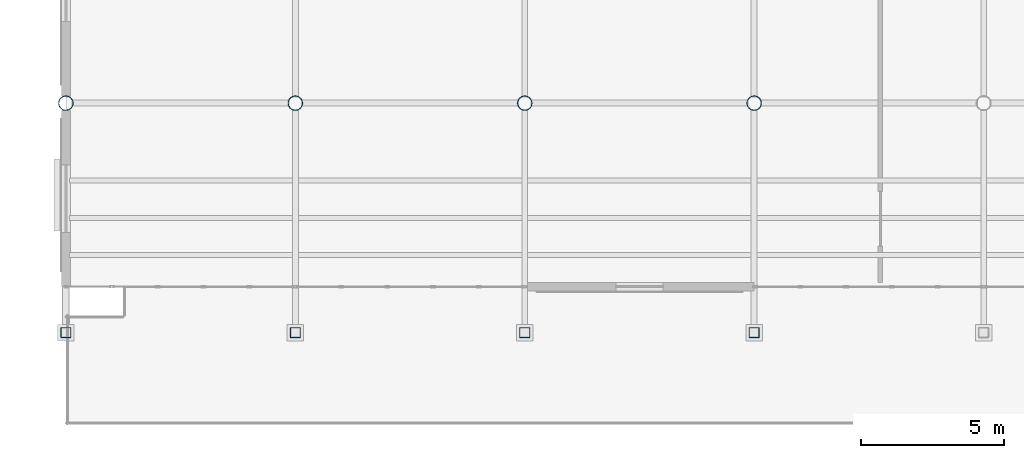
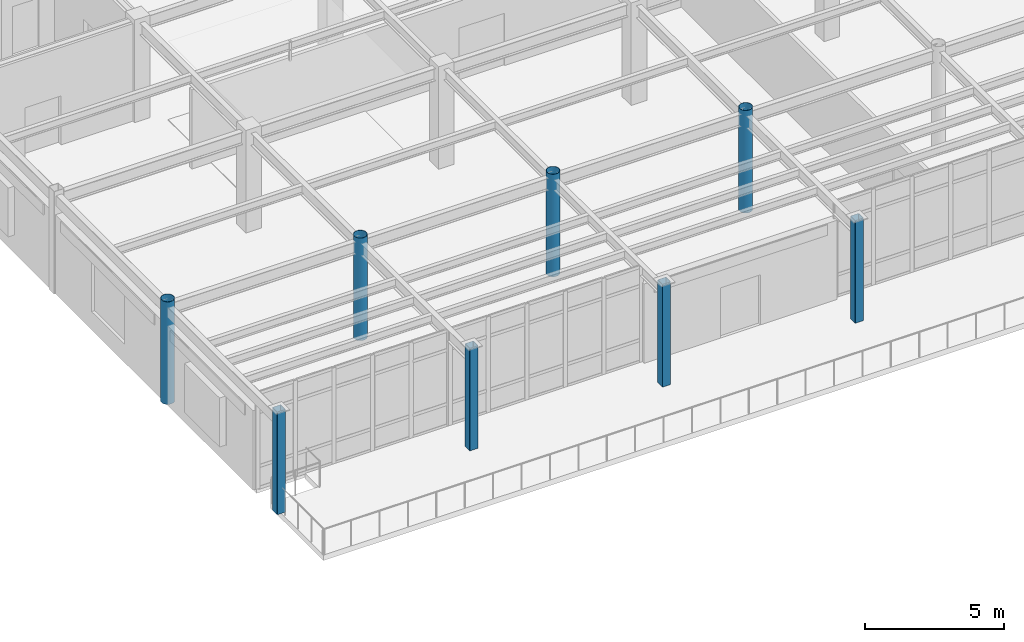
# One storey, part 8 of 111: 8 columns.
"""IFC4 building model written with IfcOpenShell, lengths in metres."""

import ifcopenshell
import ifcopenshell.guid

model = None  # the IFC model being written
_history = None  # IfcOwnerHistory: only IFC2X3 demands one
_inside = {}  # id of a spatial element -> (the spatial element, [elements in it])
_under = {}  # id of a project, library or spatial element -> (it, [spatial elements below it])
_declared = {}  # id of a project -> (the project, [libraries it declares])
_typed = {}  # id of a type object -> (the type object, [elements of that type])
_made_of = {}  # id of a material, layer set ... -> (it, [elements and type objects made of it])


def new_model(schema):
    """Start an empty IFC model of exactly this schema.

    Asked for "IFC4X3", IfcOpenShell would pick the latest addendum, in which some entities
    have other attributes; the version numbers below select the first issue.
    IFC2X3 requires an IfcOwnerHistory on every rooted entity: one is made here for all.
    """
    global model, _history
    if schema == "IFC4X3":
        model = ifcopenshell.file(schema_version=(4, 3, 0, 0))
    else:
        model = ifcopenshell.file(schema=schema)
    _inside.clear()
    _under.clear()
    _declared.clear()
    _typed.clear()
    _made_of.clear()
    _history = None
    if model.schema == "IFC2X3":
        org = make("IfcOrganization", Name="unknown")
        user = make(
            "IfcPersonAndOrganization",
            ThePerson=make("IfcPerson", FamilyName="unknown"),
            TheOrganization=org,
        )
        app = make(
            "IfcApplication",
            ApplicationDeveloper=org,
            Version="unknown",
            ApplicationFullName="unknown",
            ApplicationIdentifier="unknown",
        )
        _history = make(
            "IfcOwnerHistory",
            OwningUser=user,
            OwningApplication=app,
            ChangeAction="ADDED",
            CreationDate=0,
        )
    return model


def make(cls, **values):
    """One entity of the class cls with the attributes given. An attribute that is None is left unset."""
    return model.create_entity(
        cls, **{name: value for name, value in values.items() if value is not None}
    )


def rooted(cls, **values):
    """An entity with a GlobalId (a new one), such as an element, a storey or a relation."""
    return make(cls, GlobalId=ifcopenshell.guid.new(), OwnerHistory=_history, **values)


def si_unit(unit_type, name, prefix=None):
    """IfcSIUnit, for example si_unit("LENGTHUNIT", "METRE", prefix="MILLI")."""
    return make("IfcSIUnit", UnitType=unit_type, Prefix=prefix, Name=name)


def assignment(units):
    """IfcUnitAssignment: the units of a project."""
    return None if units is None else make("IfcUnitAssignment", Units=units)


def point(xyz):
    """IfcCartesianPoint."""
    return None if xyz is None else make("IfcCartesianPoint", Coordinates=xyz)


def direction(xyz):
    """IfcDirection."""
    return None if xyz is None else make("IfcDirection", DirectionRatios=xyz)


def frame(location, z_axis=None, x_axis=None):
    """IfcAxis2Placement3D, a coordinate frame: its origin and axes. An axis left out is left unset."""
    return make(
        "IfcAxis2Placement3D",
        Location=point(location),
        Axis=direction(z_axis),
        RefDirection=direction(x_axis),
    )


def frame_2d(location, x_axis=None):
    """IfcAxis2Placement2D, a coordinate frame in the plane: its origin and x axis."""
    return make(
        "IfcAxis2Placement2D", Location=point(location), RefDirection=direction(x_axis)
    )


def origin():
    """The frame at (0, 0, 0) with its axes left unset."""
    return frame((0.0, 0.0, 0.0))


def origin_2d():
    """The frame at (0, 0) in the plane with its x axis left unset."""
    return frame_2d((0.0, 0.0))


def place(relative_to, where):
    """IfcLocalPlacement: puts the frame where relative to a parent placement (None: the world)."""
    return make(
        "IfcLocalPlacement", PlacementRelTo=relative_to, RelativePlacement=where
    )


def context(
    kind, dimensions, precision=None, world=None, true_north=None, identifier=None
):
    """IfcGeometricRepresentationContext, for example the 3D "Model" context."""
    return make(
        "IfcGeometricRepresentationContext",
        ContextIdentifier=identifier,
        ContextType=kind,
        CoordinateSpaceDimension=dimensions,
        Precision=precision,
        WorldCoordinateSystem=world,
        TrueNorth=true_north,
    )


def subcontext(parent, identifier, kind, view, scale=None):
    """IfcGeometricRepresentationSubContext, for example "Body" below "Model"."""
    return make(
        "IfcGeometricRepresentationSubContext",
        ContextIdentifier=identifier,
        ContextType=kind,
        ParentContext=parent,
        TargetScale=scale,
        TargetView=view,
    )


def project(units=None, contexts=None):
    """IfcProject with its units and contexts."""
    return rooted(
        "IfcProject",
        Name="project",
        RepresentationContexts=contexts,
        UnitsInContext=assignment(units),
    )


def spatial(cls, under=None, at=None, **own):
    """A site, building, storey or space (cls), placed at a placement, below another one or the project."""
    s = rooted(cls, ObjectPlacement=at, **own)
    if under is not None:
        _under.setdefault(under.id(), (under, []))[1].append(s)
    return s


def profile(cls, at=None, kind="AREA", **sizes):
    """A parametric profile (cls). Its sizes go by their IFC names, for example OverallWidth=200.0."""
    return make(cls, ProfileType=kind, Position=at, **sizes)


def hollow_rectangle(**sizes):
    """IfcRectangleHollowProfileDef."""
    return profile("IfcRectangleHollowProfileDef", **sizes)


def hollow_circle(**sizes):
    """IfcCircleHollowProfileDef."""
    return profile("IfcCircleHollowProfileDef", **sizes)


def extrude(swept, where, along, depth):
    """IfcExtrudedAreaSolid: the profile swept, set in the frame where, extruded along a direction by depth."""
    return make(
        "IfcExtrudedAreaSolid",
        SweptArea=swept,
        Position=where,
        ExtrudedDirection=direction(along),
        Depth=depth,
    )


def shape(context_of_items, identifier, shape_type, items):
    """IfcShapeRepresentation: the items that make up one representation, for example the "Body"."""
    return make(
        "IfcShapeRepresentation",
        ContextOfItems=context_of_items,
        RepresentationIdentifier=identifier,
        RepresentationType=shape_type,
        Items=items,
    )


def material(Name=None, Category=None):
    """IfcMaterial."""
    return make("IfcMaterial", Name=Name, Category=Category)


def material_profile(
    of_material, cross_section, Name=None, Category=None, Priority=None
):
    """IfcMaterialProfile: a cross section and its material."""
    return make(
        "IfcMaterialProfile",
        Name=Name,
        Material=of_material,
        Profile=cross_section,
        Priority=Priority,
        Category=Category,
    )


def profile_set(profiles, Name=None, composite=None):
    """IfcMaterialProfileSet."""
    return make(
        "IfcMaterialProfileSet",
        Name=Name,
        MaterialProfiles=profiles,
        CompositeProfile=composite,
    )


def made_of(thing, what):
    """Note that an element or type object is made of a material, layer set ...; save() writes the relation."""
    if what is not None:
        _made_of.setdefault(what.id(), (what, []))[1].append(thing)
    return thing


def type_object(cls, material=None, **own):
    """A type object (cls), such as IfcWallType, which elements share."""
    return made_of(rooted(cls, **own), material)


def element(
    cls,
    number,
    at=None,
    inside=None,
    cuts=None,
    type_object=None,
    material=None,
    context=None,
    identifier="Body",
    shape_type=None,
    held_by="IfcProductDefinitionShape",
    body=None,
    shapes=None,
    **own,
):
    """One element of the class cls, such as IfcWall. Its Tag is "e" and its number.

    at: its placement. inside: the storey or other place that contains it. cuts: it is an
    opening in that element (IfcRelVoidsElement). A single representation is given by context,
    identifier, shape_type and body (its items); several are given by shapes. held_by: the class
    of the entity that holds the representations. save() writes the other relations.
    """
    e = rooted(cls, Tag="e%d" % number, ObjectPlacement=at, **own)
    if body is not None:
        shapes = [shape(context, identifier, shape_type, body)]
    if shapes is not None:
        e.Representation = make(held_by, Representations=shapes)
    if inside is not None:
        _inside.setdefault(inside.id(), (inside, []))[1].append(e)
    if cuts is not None:
        rooted(
            "IfcRelVoidsElement", RelatingBuildingElement=cuts, RelatedOpeningElement=e
        )
    if type_object is not None:
        _typed.setdefault(type_object.id(), (type_object, []))[1].append(e)
    return made_of(e, material)


def aggregate(whole, parts):
    """IfcRelAggregates: a whole, such as a stair, and the parts it consists of."""
    return rooted("IfcRelAggregates", RelatingObject=whole, RelatedObjects=parts)


def save(model, path):
    """Write the relations noted so far, then the file.

    IfcRelAggregates (storeys below a building ...), IfcRelContainedInSpatialStructure (elements
    in a storey), IfcRelDefinesByType, IfcRelAssociatesMaterial and IfcRelDeclares: one each for
    every whole, place, type object, material and project.
    """
    for whole, parts in _under.values():
        aggregate(whole, parts)
    for where, things in _inside.values():
        rooted(
            "IfcRelContainedInSpatialStructure",
            RelatedElements=things,
            RelatingStructure=where,
        )
    for kind, things in _typed.values():
        rooted("IfcRelDefinesByType", RelatedObjects=things, RelatingType=kind)
    for what, things in _made_of.values():
        rooted("IfcRelAssociatesMaterial", RelatedObjects=things, RelatingMaterial=what)
    for by, libraries in _declared.values():
        rooted("IfcRelDeclares", RelatingContext=by, RelatedDefinitions=libraries)
    model.write(path)


model = new_model("IFC4")

# Units and contexts
model_context = context("Model", 3, precision=1e-05, world=origin(), true_north=direction((0.0, 1.0)))
body_context = subcontext(model_context, "Body", "Model", "MODEL_VIEW")
ifc_project = project(units=[si_unit("LENGTHUNIT", "METRE"), si_unit("AREAUNIT", "SQUARE_METRE"), si_unit("VOLUMEUNIT", "CUBIC_METRE"), si_unit("PLANEANGLEUNIT", "RADIAN"), si_unit("MASSUNIT", "GRAM", prefix="KILO")], contexts=[model_context])

# Site, building, storey
site_placement = place(None, origin())
site = spatial("IfcSite", under=ifc_project, at=site_placement, CompositionType="ELEMENT")
building_placement = place(site_placement, origin())
building = spatial("IfcBuilding", under=site, at=building_placement, Name="Solmirada Galleria", CompositionType="ELEMENT")
storey_placement = place(building_placement, frame((0.0, 0.0, 10.39990234375)))
storey = spatial("IfcBuildingStorey", under=building, at=storey_placement, Name="L02", CompositionType="ELEMENT", Elevation=10.39990234375)

# Columns
ifc_material = material(Name="Steel S355 / ASTM A500 Grade C", Category="steel")
ifc_material_profile_1 = material_profile(ifc_material, hollow_circle(Radius=0.25390625, WallThickness=0.01171875, at=origin_2d()), Name="HSS20.000X0.500")
ifc_profile_set_1 = profile_set([ifc_material_profile_1], Name="Steel S355 / ASTM A500 Grade C")
column_type_1 = type_object("IfcColumnType", Name="COL-CHS20", PredefinedType="COLUMN", material=ifc_profile_set_1)
for number, where, z_axis, x_axis, name in (
    (1, (40.0, 88.0, 0.0), (0.0, 0.0, 1.0), (1.0, 0.0, 0.0), "Structural column L02-0048"),
    (2, (48.0, 88.0, 0.0), (0.0, 0.0, 1.0), (1.0, 0.0, 0.0), "Structural column L02-0115"),
    (3, (56.0, 88.0, 0.0), (0.0, 0.0, 1.0), (1.0, 0.0, 0.0), "Structural column L02-0182"),
    (4, (64.0, 88.0, 0.0), (0.0, 0.0, 1.0), (1.0, 0.0, 0.0), "Structural column L02-0246"),
):
    element("IfcColumn", number, at=place(storey_placement, frame(where, z_axis=z_axis, x_axis=x_axis)), inside=storey, type_object=column_type_1, Name=name, PredefinedType="COLUMN", context=body_context, shape_type="SweptSolid", body=[
        extrude(hollow_circle(Radius=0.25390625, WallThickness=0.01171875, at=origin_2d()), origin(), (0.0, 0.0, 1.0), 4.5),
    ])
ifc_material_profile_2 = material_profile(ifc_material, hollow_rectangle(XDim=0.35595703125, YDim=0.35595703125, WallThickness=0.01171875, InnerFilletRadius=0.01171875, OuterFilletRadius=0.023681640625, at=origin_2d()), Name="HSS14X14X1/2")
ifc_profile_set_2 = profile_set([ifc_material_profile_2], Name="Steel S355 / ASTM A500 Grade C")
column_type_2 = type_object("IfcColumnType", Name="COL-HSS14", PredefinedType="COLUMN", material=ifc_profile_set_2)
for number, where, z_axis, x_axis, name in (
    (5, (40.0, 80.0, 0.0), (0.0, 0.0, 1.0), (1.0, 0.0, 0.0), "Structural column L02-0044"),
    (6, (48.0, 80.0, 0.0), (0.0, 0.0, 1.0), (1.0, 0.0, 0.0), "Structural column L02-0111"),
    (7, (56.0, 80.0, 0.0), (0.0, 0.0, 1.0), (1.0, 0.0, 0.0), "Structural column L02-0178"),
    (8, (64.0, 80.0, 0.0), (0.0, 0.0, 1.0), (1.0, 0.0, 0.0), "Structural column L02-0242"),
):
    element("IfcColumn", number, at=place(storey_placement, frame(where, z_axis=z_axis, x_axis=x_axis)), inside=storey, type_object=column_type_2, Name=name, PredefinedType="COLUMN", context=body_context, shape_type="SweptSolid", body=[
        extrude(hollow_rectangle(XDim=0.35595703125, YDim=0.35595703125, WallThickness=0.01171875, InnerFilletRadius=0.01171875, OuterFilletRadius=0.023681640625, at=origin_2d()), origin(), (0.0, 0.0, 1.0), 4.5),
    ])

save(model, "model.ifc")
